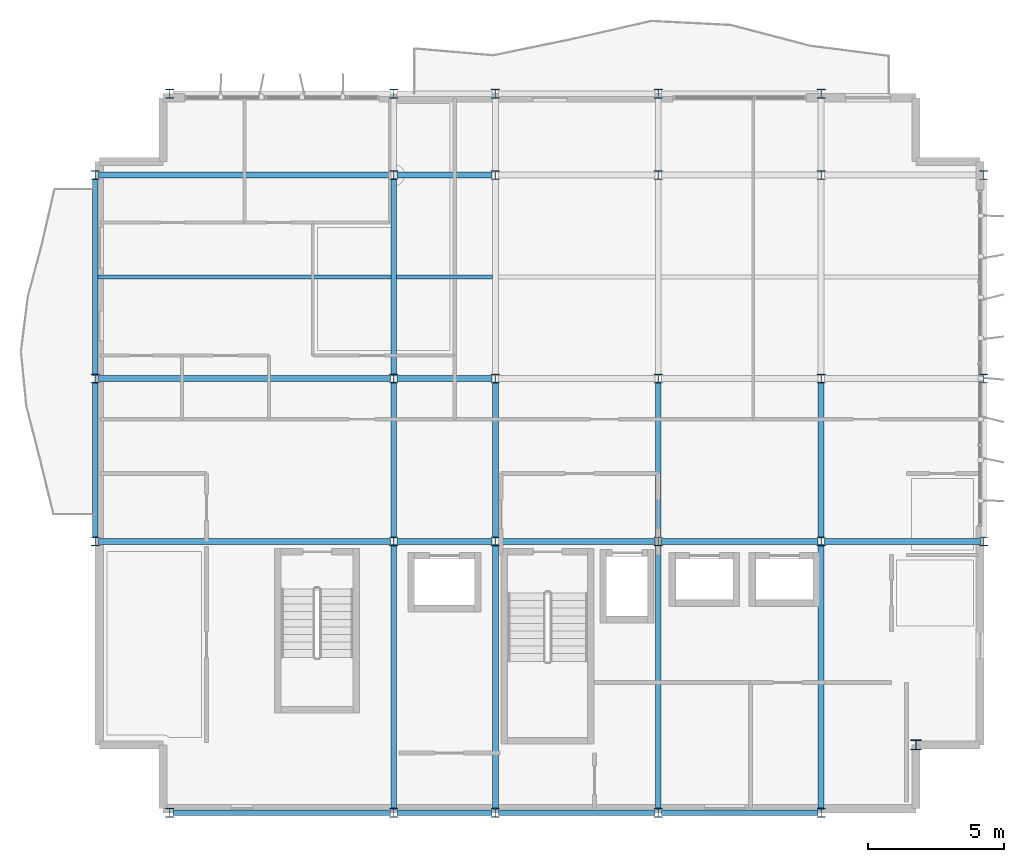
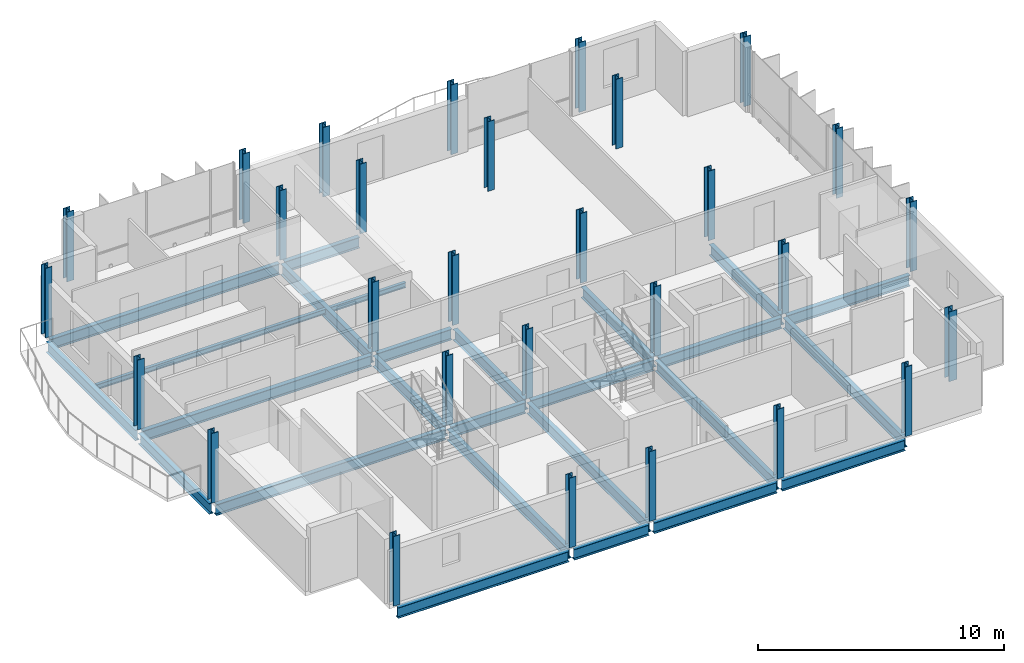
# One storey, part 1 of 12: 29 columns, 26 beams.
"""IFC4 building model written with IfcOpenShell, lengths in metres."""

from ifc_helpers import new_model, si_unit, direction, frame, origin, origin_2d, place, context, subcontext, project, spatial, i_section, extrude, material, material_profile, profile_set, type_object, element, save


model = new_model("IFC4")

# Units and contexts
model_context = context("Model", 3, precision=1e-05, world=origin(), true_north=direction((0.0, 1.0)))
body_context = subcontext(model_context, "Body", "Model", "MODEL_VIEW")
ifc_project = project(units=[si_unit("LENGTHUNIT", "METRE"), si_unit("AREAUNIT", "SQUARE_METRE"), si_unit("VOLUMEUNIT", "CUBIC_METRE"), si_unit("PLANEANGLEUNIT", "RADIAN"), si_unit("MASSUNIT", "GRAM", prefix="KILO")], contexts=[model_context])

# Site, building, storey
site_placement = place(None, origin())
site = spatial("IfcSite", under=ifc_project, at=site_placement, CompositionType="ELEMENT")
building_placement = place(site_placement, origin())
building = spatial("IfcBuilding", under=site, at=building_placement, Name="Brevholm Reach", CompositionType="ELEMENT")
storey_placement = place(building_placement, frame((0.0, 0.0, 236.60009765625)))
storey = spatial("IfcBuildingStorey", under=building, at=storey_placement, Name="L72", CompositionType="ELEMENT", Elevation=236.60009765625)

# Columns
ifc_material_1 = material(Name="Structural Steel S355J2", Category="steel")
ifc_material_profile_1 = material_profile(ifc_material_1, i_section(OverallWidth=0.374755859375, OverallDepth=0.37451171875, WebThickness=0.0166015625, FlangeThickness=0.027099609375, FilletRadius=0.01513671875, at=origin_2d()), Name="UKC 356x368x202")
ifc_profile_set_1 = profile_set([ifc_material_profile_1], Name="Structural Steel S355J2")
column_type_1 = type_object("IfcColumnType", Name="COL-UC6", PredefinedType="COLUMN", material=ifc_profile_set_1)
column_placement = place(storey_placement, frame((57.5, 2.5, 0.0), z_axis=(0.0, 0.0, 1.0), x_axis=(1.0, 0.0, 0.0)))
element("IfcColumn", 1, at=column_placement, inside=storey, type_object=column_type_1, Name="L72 Column 26", PredefinedType="COLUMN", context=body_context, shape_type="SweptSolid", body=[
    extrude(i_section(OverallWidth=0.374755859375, OverallDepth=0.37451171875, WebThickness=0.0166015625, FlangeThickness=0.027099609375, FilletRadius=0.01513671875, at=origin_2d()), origin(), (0.0, 0.0, 1.0), 3.449951171875),
])
ifc_material_2 = material(Name="Structural Steel S355J2", Category="steel")
ifc_material_profile_2 = material_profile(ifc_material_2, i_section(OverallWidth=0.314453125, OverallDepth=0.33984375, WebThickness=0.01904296875, FlangeThickness=0.031494140625, FilletRadius=0.01513671875, at=origin_2d()), Name="UKC 305x305x198")
ifc_profile_set_2 = profile_set([ifc_material_profile_2], Name="Structural Steel S355J2")
column_type_2 = type_object("IfcColumnType", Name="COL-UC7", PredefinedType="COLUMN", material=ifc_profile_set_2)
for number, where, z_axis, x_axis, name in (
    (2, (27.25, 10.0, 0.0), (0.0, 0.0, 1.0), (1.0, 0.0, 0.0), "L72 Column 01"),
    (3, (27.25, 16.0, 0.0), (0.0, 0.0, 1.0), (1.0, 0.0, 0.0), "L72 Column 02"),
    (4, (27.25, 23.5, 0.0), (0.0, 0.0, 1.0), (1.0, 0.0, 0.0), "L72 Column 03"),
    (5, (30.0, 0.0, 0.0), (0.0, 0.0, 1.0), (1.0, 0.0, 0.0), "L72 Column 04"),
    (6, (30.0, 26.5, 0.0), (0.0, 0.0, 1.0), (1.0, 0.0, 0.0), "L72 Column 05"),
    (7, (38.25, 0.0, 0.0), (0.0, 0.0, 1.0), (1.0, 0.0, 0.0), "L72 Column 06"),
    (8, (38.25, 10.0, 0.0), (0.0, 0.0, 1.0), (1.0, 0.0, 0.0), "L72 Column 07"),
    (9, (38.25, 16.0, 0.0), (0.0, 0.0, 1.0), (1.0, 0.0, 0.0), "L72 Column 08"),
    (10, (38.25, 23.5, 0.0), (0.0, 0.0, 1.0), (1.0, 0.0, 0.0), "L72 Column 09"),
    (11, (38.25, 26.5, 0.0), (0.0, 0.0, 1.0), (1.0, 0.0, 0.0), "L72 Column 10"),
    (12, (42.0, 0.0, 0.0), (0.0, 0.0, 1.0), (1.0, 0.0, 0.0), "L72 Column 11"),
    (13, (42.0, 10.0, 0.0), (0.0, 0.0, 1.0), (1.0, 0.0, 0.0), "L72 Column 12"),
    (14, (42.0, 16.0, 0.0), (0.0, 0.0, 1.0), (1.0, 0.0, 0.0), "L72 Column 13"),
    (15, (42.0, 23.5, 0.0), (0.0, 0.0, 1.0), (1.0, 0.0, 0.0), "L72 Column 14"),
    (16, (42.0, 26.5, 0.0), (0.0, 0.0, 1.0), (1.0, 0.0, 0.0), "L72 Column 15"),
    (17, (48.0, 0.0, 0.0), (0.0, 0.0, 1.0), (1.0, 0.0, 0.0), "L72 Column 16"),
    (18, (48.0, 10.0, 0.0), (0.0, 0.0, 1.0), (1.0, 0.0, 0.0), "L72 Column 17"),
    (19, (48.0, 16.0, 0.0), (0.0, 0.0, 1.0), (1.0, 0.0, 0.0), "L72 Column 18"),
    (20, (48.0, 23.5, 0.0), (0.0, 0.0, 1.0), (1.0, 0.0, 0.0), "L72 Column 19"),
    (21, (48.0, 26.5, 0.0), (0.0, 0.0, 1.0), (1.0, 0.0, 0.0), "L72 Column 20"),
    (22, (54.0, 0.0, 0.0), (0.0, 0.0, 1.0), (1.0, 0.0, 0.0), "L72 Column 21"),
    (23, (54.0, 10.0, 0.0), (0.0, 0.0, 1.0), (1.0, 0.0, 0.0), "L72 Column 22"),
    (24, (54.0, 16.0, 0.0), (0.0, 0.0, 1.0), (1.0, 0.0, 0.0), "L72 Column 23"),
    (25, (54.0, 23.5, 0.0), (0.0, 0.0, 1.0), (1.0, 0.0, 0.0), "L72 Column 24"),
    (26, (54.0, 26.5, 0.0), (0.0, 0.0, 1.0), (1.0, 0.0, 0.0), "L72 Column 25"),
    (27, (60.0, 10.0, 0.0), (0.0, 0.0, 1.0), (1.0, 0.0, 0.0), "L72 Column 27"),
    (28, (60.0, 16.0, 0.0), (0.0, 0.0, 1.0), (1.0, 0.0, 0.0), "L72 Column 28"),
    (29, (60.0, 23.5, 0.0), (0.0, 0.0, 1.0), (1.0, 0.0, 0.0), "L72 Column 29"),
):
    element("IfcColumn", number, at=place(storey_placement, frame(where, z_axis=z_axis, x_axis=x_axis)), inside=storey, type_object=column_type_2, Name=name, PredefinedType="COLUMN", context=body_context, shape_type="SweptSolid", body=[
        extrude(i_section(OverallWidth=0.314453125, OverallDepth=0.33984375, WebThickness=0.01904296875, FlangeThickness=0.031494140625, FilletRadius=0.01513671875, at=origin_2d()), origin(), (0.0, 0.0, 1.0), 3.449951171875),
    ])

# Beams
ifc_material_3 = material(Name="Structural Steel S355J2", Category="steel")
ifc_material_profile_3 = material_profile(ifc_material_3, i_section(OverallWidth=0.14599609375, OverallDepth=0.25146484375, WebThickness=0.006103515625, FlangeThickness=0.008544921875, FilletRadius=0.007568359375, at=origin_2d()), Name="UKB 254x146x31")
ifc_profile_set_3 = profile_set([ifc_material_profile_3], Name="Structural Steel S355J2")
beam_type_1 = type_object("IfcBeamType", Name="BM-B254", PredefinedType="BEAM", material=ifc_profile_set_3)
beam_1_placement = place(storey_placement, frame((27.354736328125, 19.75, -0.335693359375), z_axis=(1.0, 0.0, 0.0), x_axis=(0.0, 1.0, 0.0)))
element("IfcBeam", 30, at=beam_1_placement, inside=storey, type_object=beam_type_1, Name="L72 Composite Secondary Floor Beam", PredefinedType="BEAM", context=body_context, shape_type="SweptSolid", body=[
    extrude(i_section(OverallWidth=0.14599609375, OverallDepth=0.25146484375, WebThickness=0.006103515625, FlangeThickness=0.008544921875, FilletRadius=0.007568359375, at=origin_2d()), origin(), (0.0, 0.0, 1.0), 10.789794921875),
])
beam_2_placement = place(storey_placement, frame((38.35546875, 19.75, -0.335693359375), z_axis=(1.0, 0.0, 0.0), x_axis=(0.0, 1.0, 0.0)))
element("IfcBeam", 31, at=beam_2_placement, inside=storey, type_object=beam_type_1, Name="L72 Composite Secondary Floor Beam", PredefinedType="BEAM", context=body_context, shape_type="SweptSolid", body=[
    extrude(i_section(OverallWidth=0.14599609375, OverallDepth=0.25146484375, WebThickness=0.006103515625, FlangeThickness=0.008544921875, FilletRadius=0.007568359375, at=origin_2d()), origin(), (0.0, 0.0, 1.0), 3.5390625),
])
ifc_material_4 = material(Name="Structural Steel S355J2", Category="steel")
ifc_material_profile_4 = material_profile(ifc_material_4, i_section(OverallWidth=0.209228515625, OverallDepth=0.533203125, WebThickness=0.010009765625, FlangeThickness=0.015625, FilletRadius=0.0126953125, at=origin_2d()), Name="UKB 533x210x92")
ifc_profile_set_4 = profile_set([ifc_material_profile_4], Name="Structural Steel S355J2")
beam_type_2 = type_object("IfcBeamType", Name="BM-SP533", PredefinedType="SPANDREL", material=ifc_profile_set_4)
beam_3_placement = place(storey_placement, frame((30.1201171875, 0.0, -0.4765625), z_axis=(1.0, 0.0, 0.0), x_axis=(0.0, 1.0, 0.0)))
element("IfcBeam", 32, at=beam_3_placement, inside=storey, type_object=beam_type_2, Name="L72 SP-02 Framing Beam", PredefinedType="SPANDREL", context=body_context, shape_type="SweptSolid", body=[
    extrude(i_section(OverallWidth=0.209228515625, OverallDepth=0.533203125, WebThickness=0.010009765625, FlangeThickness=0.015625, FilletRadius=0.0126953125, at=origin_2d()), origin(), (0.0, 0.0, 1.0), 8.009765625),
])
beam_4_placement = place(storey_placement, frame((38.3701171875, 0.0, -0.4765625), z_axis=(1.0, 0.0, 0.0), x_axis=(0.0, 1.0, 0.0)))
element("IfcBeam", 33, at=beam_4_placement, inside=storey, type_object=beam_type_2, Name="L72 SP-02 Framing Beam", PredefinedType="SPANDREL", context=body_context, shape_type="SweptSolid", body=[
    extrude(i_section(OverallWidth=0.209228515625, OverallDepth=0.533203125, WebThickness=0.010009765625, FlangeThickness=0.015625, FilletRadius=0.0126953125, at=origin_2d()), origin(), (0.0, 0.0, 1.0), 3.509765625),
])
for number, where, z_axis, x_axis, name in (
    (34, (42.1201171875, 0.0, -0.4765625), (1.0, 0.0, 0.0), (0.0, 1.0, 0.0), "L72 SP-02 Framing Beam"),
    (35, (48.1201171875, 0.0, -0.4765625), (1.0, 0.0, 0.0), (0.0, 1.0, 0.0), "L72 SP-02 Framing Beam"),
    (36, (27.25, 10.1201171875, -0.4765625), (0.0, 1.0, 0.0), (-1.0, 0.0, 0.0), "L72 SP-02 Framing Beam"),
):
    element("IfcBeam", number, at=place(storey_placement, frame(where, z_axis=z_axis, x_axis=x_axis)), inside=storey, type_object=beam_type_2, Name=name, PredefinedType="SPANDREL", context=body_context, shape_type="SweptSolid", body=[
        extrude(i_section(OverallWidth=0.209228515625, OverallDepth=0.533203125, WebThickness=0.010009765625, FlangeThickness=0.015625, FilletRadius=0.0126953125, at=origin_2d()), origin(), (0.0, 0.0, 1.0), 5.759765625),
    ])
beam_5_placement = place(storey_placement, frame((27.25, 16.1201171875, -0.4765625), z_axis=(0.0, 1.0, 0.0), x_axis=(-1.0, 0.0, 0.0)))
element("IfcBeam", 37, at=beam_5_placement, inside=storey, type_object=beam_type_2, Name="L72 SP-02 Framing Beam", PredefinedType="SPANDREL", context=body_context, shape_type="SweptSolid", body=[
    extrude(i_section(OverallWidth=0.209228515625, OverallDepth=0.533203125, WebThickness=0.010009765625, FlangeThickness=0.015625, FilletRadius=0.0126953125, at=origin_2d()), origin(), (0.0, 0.0, 1.0), 7.259765625),
])
ifc_material_5 = material(Name="Structural Steel S355J2", Category="steel")
ifc_material_profile_5 = material_profile(ifc_material_5, i_section(OverallWidth=0.210693359375, OverallDepth=0.53955078125, WebThickness=0.01171875, FlangeThickness=0.018798828125, FilletRadius=0.0126953125, at=origin_2d()), Name="UKB 533x210x109")
ifc_profile_set_5 = profile_set([ifc_material_profile_5], Name="Structural Steel S355J2")
beam_type_3 = type_object("IfcBeamType", Name="BM-SP539", PredefinedType="SPANDREL", material=ifc_profile_set_5)
beam_6_placement = place(storey_placement, frame((27.3701171875, 10.0, -0.479736328125), z_axis=(1.0, 0.0, 0.0), x_axis=(0.0, 1.0, 0.0)))
element("IfcBeam", 38, at=beam_6_placement, inside=storey, type_object=beam_type_3, Name="L72 SP-01B Framing Beam", PredefinedType="SPANDREL", context=body_context, shape_type="SweptSolid", body=[
    extrude(i_section(OverallWidth=0.210693359375, OverallDepth=0.53955078125, WebThickness=0.01171875, FlangeThickness=0.018798828125, FilletRadius=0.0126953125, at=origin_2d()), origin(), (0.0, 0.0, 1.0), 10.759765625),
])
beam_7_placement = place(storey_placement, frame((38.3701171875, 10.0, -0.479736328125), z_axis=(1.0, 0.0, 0.0), x_axis=(0.0, 1.0, 0.0)))
element("IfcBeam", 39, at=beam_7_placement, inside=storey, type_object=beam_type_3, Name="L72 SP-01B Framing Beam", PredefinedType="SPANDREL", context=body_context, shape_type="SweptSolid", body=[
    extrude(i_section(OverallWidth=0.210693359375, OverallDepth=0.53955078125, WebThickness=0.01171875, FlangeThickness=0.018798828125, FilletRadius=0.0126953125, at=origin_2d()), origin(), (0.0, 0.0, 1.0), 3.509765625),
])
for number, where, z_axis, x_axis, name in (
    (40, (42.1201171875, 10.0, -0.479736328125), (1.0, 0.0, 0.0), (0.0, 1.0, 0.0), "L72 SP-01B Framing Beam"),
    (41, (48.1201171875, 10.0, -0.479736328125), (1.0, 0.0, 0.0), (0.0, 1.0, 0.0), "L72 SP-01B Framing Beam"),
    (42, (54.1201171875, 10.0, -0.479736328125), (1.0, 0.0, 0.0), (0.0, 1.0, 0.0), "L72 SP-01B Framing Beam"),
):
    element("IfcBeam", number, at=place(storey_placement, frame(where, z_axis=z_axis, x_axis=x_axis)), inside=storey, type_object=beam_type_3, Name=name, PredefinedType="SPANDREL", context=body_context, shape_type="SweptSolid", body=[
        extrude(i_section(OverallWidth=0.210693359375, OverallDepth=0.53955078125, WebThickness=0.01171875, FlangeThickness=0.018798828125, FilletRadius=0.0126953125, at=origin_2d()), origin(), (0.0, 0.0, 1.0), 5.759765625),
    ])
beam_8_placement = place(storey_placement, frame((27.3701171875, 16.0, -0.479736328125), z_axis=(1.0, 0.0, 0.0), x_axis=(0.0, 1.0, 0.0)))
element("IfcBeam", 43, at=beam_8_placement, inside=storey, type_object=beam_type_3, Name="L72 SP-01B Framing Beam", PredefinedType="SPANDREL", context=body_context, shape_type="SweptSolid", body=[
    extrude(i_section(OverallWidth=0.210693359375, OverallDepth=0.53955078125, WebThickness=0.01171875, FlangeThickness=0.018798828125, FilletRadius=0.0126953125, at=origin_2d()), origin(), (0.0, 0.0, 1.0), 10.759765625),
])
beam_9_placement = place(storey_placement, frame((38.3701171875, 16.0, -0.479736328125), z_axis=(1.0, 0.0, 0.0), x_axis=(0.0, 1.0, 0.0)))
element("IfcBeam", 44, at=beam_9_placement, inside=storey, type_object=beam_type_3, Name="L72 SP-01B Framing Beam", PredefinedType="SPANDREL", context=body_context, shape_type="SweptSolid", body=[
    extrude(i_section(OverallWidth=0.210693359375, OverallDepth=0.53955078125, WebThickness=0.01171875, FlangeThickness=0.018798828125, FilletRadius=0.0126953125, at=origin_2d()), origin(), (0.0, 0.0, 1.0), 3.509765625),
])
beam_10_placement = place(storey_placement, frame((27.3701171875, 23.5, -0.479736328125), z_axis=(1.0, 0.0, 0.0), x_axis=(0.0, 1.0, 0.0)))
element("IfcBeam", 45, at=beam_10_placement, inside=storey, type_object=beam_type_3, Name="L72 SP-01B Framing Beam", PredefinedType="SPANDREL", context=body_context, shape_type="SweptSolid", body=[
    extrude(i_section(OverallWidth=0.210693359375, OverallDepth=0.53955078125, WebThickness=0.01171875, FlangeThickness=0.018798828125, FilletRadius=0.0126953125, at=origin_2d()), origin(), (0.0, 0.0, 1.0), 10.759765625),
])
beam_11_placement = place(storey_placement, frame((38.3701171875, 23.5, -0.479736328125), z_axis=(1.0, 0.0, 0.0), x_axis=(0.0, 1.0, 0.0)))
element("IfcBeam", 46, at=beam_11_placement, inside=storey, type_object=beam_type_3, Name="L72 SP-01B Framing Beam", PredefinedType="SPANDREL", context=body_context, shape_type="SweptSolid", body=[
    extrude(i_section(OverallWidth=0.210693359375, OverallDepth=0.53955078125, WebThickness=0.01171875, FlangeThickness=0.018798828125, FilletRadius=0.0126953125, at=origin_2d()), origin(), (0.0, 0.0, 1.0), 3.509765625),
])
beam_12_placement = place(storey_placement, frame((38.25, 0.1201171875, -0.479736328125), z_axis=(0.0, 1.0, 0.0), x_axis=(-1.0, 0.0, 0.0)))
element("IfcBeam", 47, at=beam_12_placement, inside=storey, type_object=beam_type_3, Name="L72 SP-01B Framing Beam", PredefinedType="SPANDREL", context=body_context, shape_type="SweptSolid", body=[
    extrude(i_section(OverallWidth=0.210693359375, OverallDepth=0.53955078125, WebThickness=0.01171875, FlangeThickness=0.018798828125, FilletRadius=0.0126953125, at=origin_2d()), origin(), (0.0, 0.0, 1.0), 9.759765625),
])
beam_13_placement = place(storey_placement, frame((38.25, 10.1201171875, -0.479736328125), z_axis=(0.0, 1.0, 0.0), x_axis=(-1.0, 0.0, 0.0)))
element("IfcBeam", 48, at=beam_13_placement, inside=storey, type_object=beam_type_3, Name="L72 SP-01B Framing Beam", PredefinedType="SPANDREL", context=body_context, shape_type="SweptSolid", body=[
    extrude(i_section(OverallWidth=0.210693359375, OverallDepth=0.53955078125, WebThickness=0.01171875, FlangeThickness=0.018798828125, FilletRadius=0.0126953125, at=origin_2d()), origin(), (0.0, 0.0, 1.0), 5.759765625),
])
beam_14_placement = place(storey_placement, frame((38.25, 16.1201171875, -0.479736328125), z_axis=(0.0, 1.0, 0.0), x_axis=(-1.0, 0.0, 0.0)))
element("IfcBeam", 49, at=beam_14_placement, inside=storey, type_object=beam_type_3, Name="L72 SP-01B Framing Beam", PredefinedType="SPANDREL", context=body_context, shape_type="SweptSolid", body=[
    extrude(i_section(OverallWidth=0.210693359375, OverallDepth=0.53955078125, WebThickness=0.01171875, FlangeThickness=0.018798828125, FilletRadius=0.0126953125, at=origin_2d()), origin(), (0.0, 0.0, 1.0), 7.259765625),
])
beam_15_placement = place(storey_placement, frame((42.0, 0.1201171875, -0.479736328125), z_axis=(0.0, 1.0, 0.0), x_axis=(-1.0, 0.0, 0.0)))
element("IfcBeam", 50, at=beam_15_placement, inside=storey, type_object=beam_type_3, Name="L72 SP-01B Framing Beam", PredefinedType="SPANDREL", context=body_context, shape_type="SweptSolid", body=[
    extrude(i_section(OverallWidth=0.210693359375, OverallDepth=0.53955078125, WebThickness=0.01171875, FlangeThickness=0.018798828125, FilletRadius=0.0126953125, at=origin_2d()), origin(), (0.0, 0.0, 1.0), 9.759765625),
])
beam_16_placement = place(storey_placement, frame((42.0, 10.1201171875, -0.479736328125), z_axis=(0.0, 1.0, 0.0), x_axis=(-1.0, 0.0, 0.0)))
element("IfcBeam", 51, at=beam_16_placement, inside=storey, type_object=beam_type_3, Name="L72 SP-01B Framing Beam", PredefinedType="SPANDREL", context=body_context, shape_type="SweptSolid", body=[
    extrude(i_section(OverallWidth=0.210693359375, OverallDepth=0.53955078125, WebThickness=0.01171875, FlangeThickness=0.018798828125, FilletRadius=0.0126953125, at=origin_2d()), origin(), (0.0, 0.0, 1.0), 5.759765625),
])
beam_17_placement = place(storey_placement, frame((48.0, 0.1201171875, -0.479736328125), z_axis=(0.0, 1.0, 0.0), x_axis=(-1.0, 0.0, 0.0)))
element("IfcBeam", 52, at=beam_17_placement, inside=storey, type_object=beam_type_3, Name="L72 SP-01B Framing Beam", PredefinedType="SPANDREL", context=body_context, shape_type="SweptSolid", body=[
    extrude(i_section(OverallWidth=0.210693359375, OverallDepth=0.53955078125, WebThickness=0.01171875, FlangeThickness=0.018798828125, FilletRadius=0.0126953125, at=origin_2d()), origin(), (0.0, 0.0, 1.0), 9.759765625),
])
beam_18_placement = place(storey_placement, frame((48.0, 10.1201171875, -0.479736328125), z_axis=(0.0, 1.0, 0.0), x_axis=(-1.0, 0.0, 0.0)))
element("IfcBeam", 53, at=beam_18_placement, inside=storey, type_object=beam_type_3, Name="L72 SP-01B Framing Beam", PredefinedType="SPANDREL", context=body_context, shape_type="SweptSolid", body=[
    extrude(i_section(OverallWidth=0.210693359375, OverallDepth=0.53955078125, WebThickness=0.01171875, FlangeThickness=0.018798828125, FilletRadius=0.0126953125, at=origin_2d()), origin(), (0.0, 0.0, 1.0), 5.759765625),
])
beam_19_placement = place(storey_placement, frame((54.0, 0.1201171875, -0.479736328125), z_axis=(0.0, 1.0, 0.0), x_axis=(-1.0, 0.0, 0.0)))
element("IfcBeam", 54, at=beam_19_placement, inside=storey, type_object=beam_type_3, Name="L72 SP-01B Framing Beam", PredefinedType="SPANDREL", context=body_context, shape_type="SweptSolid", body=[
    extrude(i_section(OverallWidth=0.210693359375, OverallDepth=0.53955078125, WebThickness=0.01171875, FlangeThickness=0.018798828125, FilletRadius=0.0126953125, at=origin_2d()), origin(), (0.0, 0.0, 1.0), 9.759765625),
])
beam_20_placement = place(storey_placement, frame((54.0, 10.1201171875, -0.479736328125), z_axis=(0.0, 1.0, 0.0), x_axis=(-1.0, 0.0, 0.0)))
element("IfcBeam", 55, at=beam_20_placement, inside=storey, type_object=beam_type_3, Name="L72 SP-01B Framing Beam", PredefinedType="SPANDREL", context=body_context, shape_type="SweptSolid", body=[
    extrude(i_section(OverallWidth=0.210693359375, OverallDepth=0.53955078125, WebThickness=0.01171875, FlangeThickness=0.018798828125, FilletRadius=0.0126953125, at=origin_2d()), origin(), (0.0, 0.0, 1.0), 5.759765625),
])

save(model, "model.ifc")
